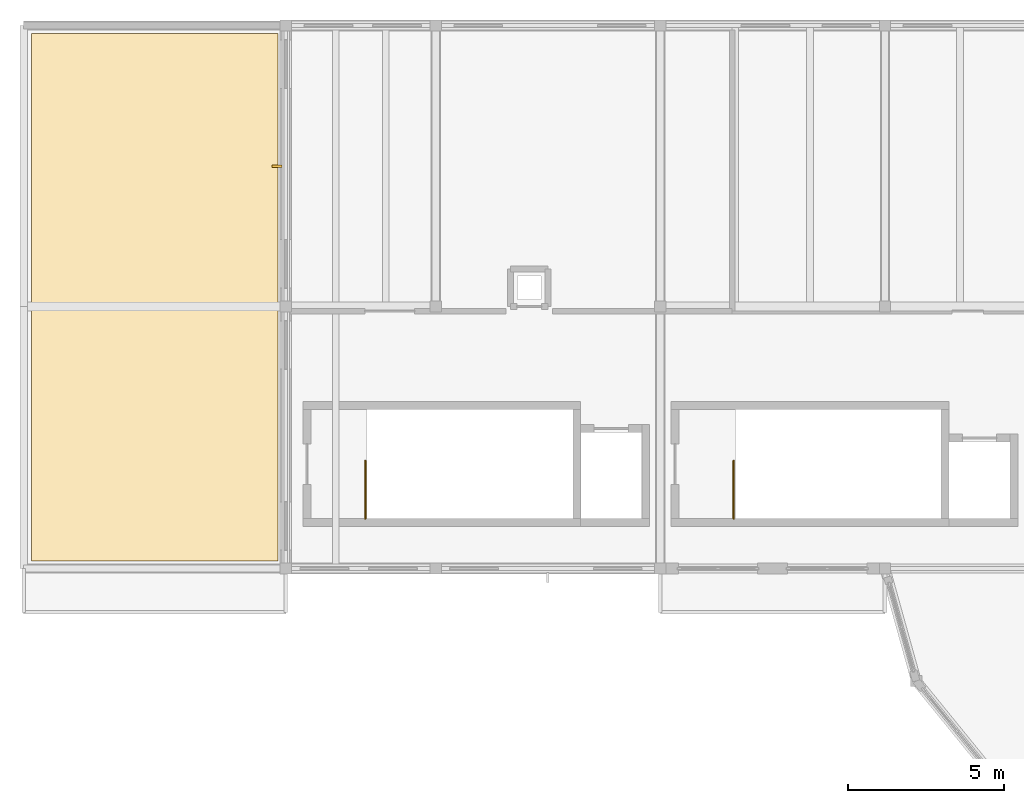
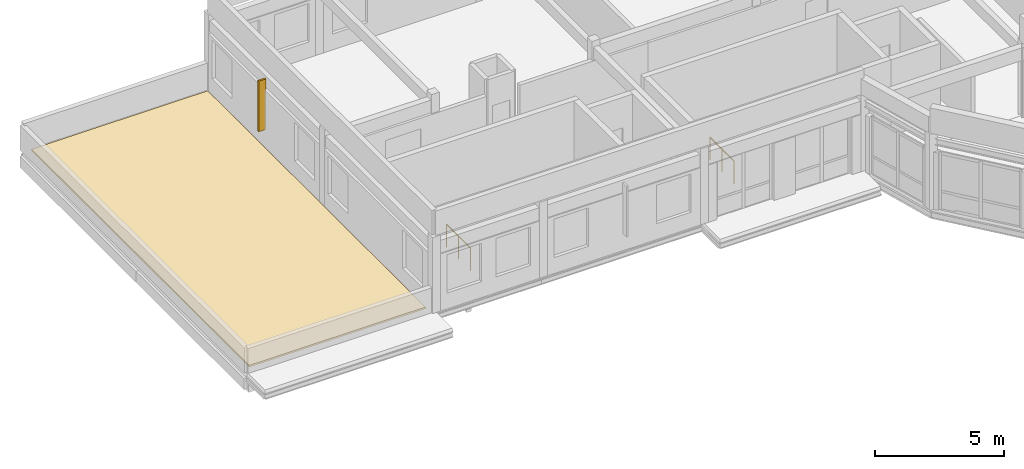
# One storey, part 21 of 21: 2 railings, 1 covering, 1 shading device.
"""IFC4 building model written with IfcOpenShell, lengths in metres."""

from ifc_helpers import new_model, si_unit, direction, frame, origin, origin_2d, place, context, subcontext, project, spatial, polyline, rectangle, circle, outline, extrude, material, layer, layer_set, type_object, element, save


model = new_model("IFC4")

# Units and contexts
model_context = context("Model", 3, precision=1e-05, world=origin(), true_north=direction((0.0, 1.0)))
body_context = subcontext(model_context, "Body", "Model", "MODEL_VIEW")
ifc_project = project(units=[si_unit("LENGTHUNIT", "METRE"), si_unit("AREAUNIT", "SQUARE_METRE"), si_unit("VOLUMEUNIT", "CUBIC_METRE"), si_unit("PLANEANGLEUNIT", "RADIAN"), si_unit("MASSUNIT", "GRAM", prefix="KILO")], contexts=[model_context])

# Site, building, storey
site_placement = place(None, origin())
site = spatial("IfcSite", under=ifc_project, at=site_placement, CompositionType="ELEMENT")
building_placement = place(site_placement, origin())
building = spatial("IfcBuilding", under=site, at=building_placement, Name="Kahlenmark Community Centre", CompositionType="ELEMENT")
storey_placement = place(building_placement, frame((0.0, 0.0, 21.60009765625)))
storey = spatial("IfcBuildingStorey", under=building, at=storey_placement, Name="L05", CompositionType="ELEMENT", Elevation=21.60009765625)

# Covering
ifc_material_1 = material(Name="Extensive sedum green roof substrate")
ifc_layer = layer(ifc_material_1, 0.080078125)
ifc_layer_set = layer_set([ifc_layer], Name="Extensive sedum green roof substrate")
covering_type = type_object("IfcCoveringType", Name="CVT-ROOF-GRN", PredefinedType="ROOFING", material=ifc_layer_set)
covering_placement = place(storey_placement, origin())
element("IfcCovering", 1, at=covering_placement, inside=storey, type_object=covering_type, Name="Roof membrane 08", PredefinedType="ROOFING", context=body_context, shape_type="SweptSolid", body=[
    extrude(outline(polyline([(37.85009765625, 97.85009765625), (45.75, 97.85009765625), (45.75, 114.75), (37.85009765625, 114.75), (37.85009765625, 97.85009765625)])), origin(), (0.0, 0.0, 1.0), 0.079833984375),
])

# Railings
ifc_material_2 = material(Name="Powder-coated steel stair well guard", Category="steel")
railing_type = type_object("IfcRailingType", Name="RLT-SG-1120", PredefinedType="GUARDRAIL", material=ifc_material_2)
for number, where, name in (
    (2, (48.550048828125, 99.199951171875, 0.0), "L05 ST-04 top well guard 1"),
    (3, (60.35009765625, 99.199951171875, 0.0), "L05 ST-05 top well guard 1"),
):
    element("IfcRailing", number, at=place(storey_placement, frame(where)), inside=storey, type_object=railing_type, Name=name, PredefinedType="GUARDRAIL", context=body_context, shape_type="SweptSolid", body=[
        extrude(circle(Radius=0.02392578125, at=origin_2d()), frame((0.0, 0.0, 1.076171875), z_axis=(0.0, 1.0, 0.0), x_axis=(-1.0, 0.0, 0.0)), (0.0, 0.0, 1.0), 1.85009765625),
        extrude(circle(Radius=0.02099609375, at=origin_2d()), origin(), (0.0, 0.0, 1.0), 1.052001953125),
        extrude(circle(Radius=0.02099609375, at=origin_2d()), frame((0.0, 0.925048828125, 0.0)), (0.0, 0.0, 1.0), 1.052001953125),
        extrude(circle(Radius=0.02099609375, at=origin_2d()), frame((0.0, 1.85009765625, 0.0)), (0.0, 0.0, 1.0), 1.052001953125),
    ])

# Shading device
ifc_material_3 = material(Name="Extruded warm terracotta solar fin", Category="masonry")
shading_device_type = type_object("IfcShadingDeviceType", Name="SDT-FIN-320", PredefinedType="NOTDEFINED", material=ifc_material_3)
shading_device_placement = place(storey_placement, frame((45.719970703125, 110.5, 0.800048828125), z_axis=(0.0, 0.0, 1.0), x_axis=(0.0, -1.0, 0.0)))
element("IfcShadingDevice", 4, at=shading_device_placement, inside=storey, type_object=shading_device_type, Name="Terracotta solar fin 0014", PredefinedType="NOTDEFINED", context=body_context, shape_type="SweptSolid", body=[
    extrude(rectangle(XDim=0.080078125, YDim=0.320068359375, at=origin_2d()), origin(), (0.0, 0.0, 1.0), 2.39990234375),
])

save(model, "model.ifc")
